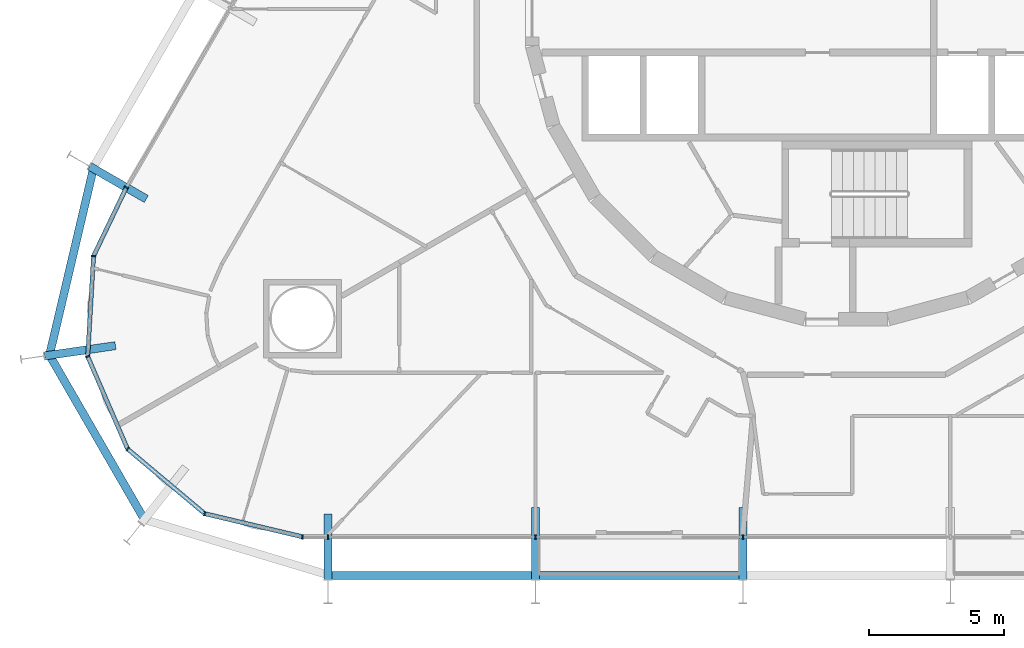
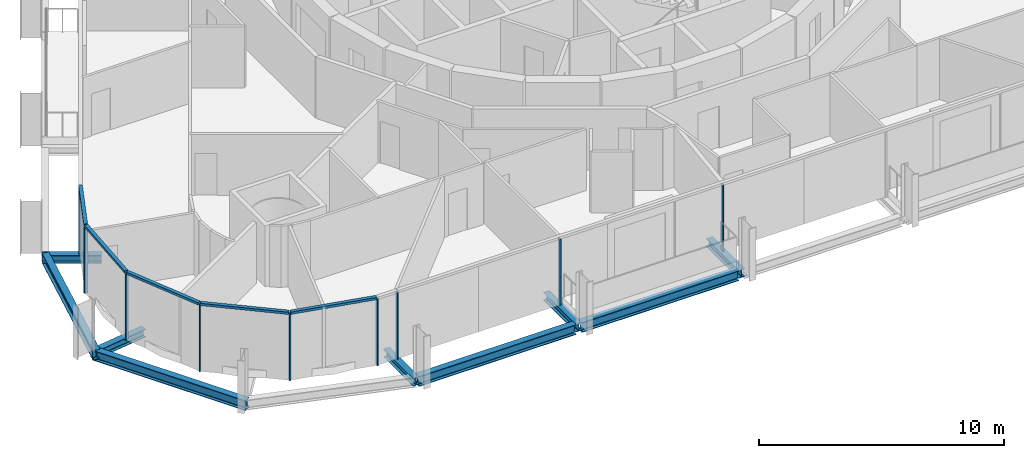
# One storey, part 3 of 20: 14 members, 9 beams, 2 elements without a shape of their own.
"""IFC4 building model written with IfcOpenShell, lengths in metres."""

from ifc_helpers import new_model, si_unit, direction, frame, origin, origin_2d, place, context, subcontext, project, spatial, rectangle, i_section, extrude, material, layer, layer_set, material_profile, profile_set, type_object, element, aggregate, save


model = new_model("IFC4")

# Units and contexts
model_context = context("Model", 3, precision=1e-05, world=origin(), true_north=direction((0.0, 1.0)))
body_context = subcontext(model_context, "Body", "Model", "MODEL_VIEW")
ifc_project = project(units=[si_unit("LENGTHUNIT", "METRE"), si_unit("AREAUNIT", "SQUARE_METRE"), si_unit("VOLUMEUNIT", "CUBIC_METRE"), si_unit("PLANEANGLEUNIT", "RADIAN"), si_unit("MASSUNIT", "GRAM", prefix="KILO")], contexts=[model_context])

# Site, building, storey
site_placement = place(None, origin())
site = spatial("IfcSite", under=ifc_project, at=site_placement, CompositionType="ELEMENT")
building_placement = place(site_placement, origin())
building = spatial("IfcBuilding", under=site, at=building_placement, Name="Spindle Arch Residences", CompositionType="ELEMENT")
storey_placement = place(building_placement, frame((0.0, 0.0, 66.39990234375)))
storey = spatial("IfcBuildingStorey", under=building, at=storey_placement, Name="L15", CompositionType="ELEMENT", Elevation=66.39990234375)

# Curtain wall, members
ifc_material_1 = material(Name="Aluminium bronze unitised frame with tinted glass", Category="aluminium")
ifc_layer_1 = layer(ifc_material_1, 0.159912109375)
ifc_layer_set_1 = layer_set([ifc_layer_1], Name="CW-D corner wall on the fillet arcs")
curtain_wall_type_1 = type_object("IfcCurtainWallType", Name="CW-D corner wall on the fillet arcs", PredefinedType="NOTDEFINED", material=ifc_layer_set_1)
curtain_wall_1_placement = place(storey_placement, origin())
curtain_wall_1 = element("IfcCurtainWall", 1, at=curtain_wall_1_placement, inside=storey, type_object=curtain_wall_type_1, Name="CW-D L15 run 5", PredefinedType="NOTDEFINED")
ifc_material_2 = material(Name="Aluminium bronze anodised mullion", Category="aluminium")
ifc_material_profile_1 = material_profile(ifc_material_2, rectangle(XDim=0.159912109375, YDim=0.06005859375, at=origin_2d()), Name="MU 60x160")
ifc_profile_set_1 = profile_set([ifc_material_profile_1], Name="Aluminium bronze anodised mullion")
member_type_1 = type_object("IfcMemberType", Name="Bronze mullion 60x160", PredefinedType="MULLION", material=ifc_profile_set_1)
member_1_placement = place(storey_placement, frame((-26.66943359375, -6.77294921875, -0.3798828125), z_axis=(0.0, 0.0, 1.0), x_axis=(0.902111889092, -0.431502189519, 0.0)))
member_1 = element("IfcMember", 2, at=member_1_placement, type_object=member_type_1, Name="CW-D mullion 00", PredefinedType="MULLION", context=body_context, shape_type="SweptSolid", body=[
    extrude(rectangle(XDim=0.159912109375, YDim=0.06005859375, at=origin_2d()), origin(), (0.0, 0.0, 1.0), 3.31005859375),
])
member_2_placement = place(storey_placement, frame((-27.884033203125, -9.3125, -0.3798828125), z_axis=(0.0, 0.0, 1.0), x_axis=(0.99830815821, -0.058144829968, 0.0)))
member_2 = element("IfcMember", 3, at=member_2_placement, type_object=member_type_1, Name="CW-D mullion 01", PredefinedType="MULLION", context=body_context, shape_type="SweptSolid", body=[
    extrude(rectangle(XDim=0.159912109375, YDim=0.06005859375, at=origin_2d()), origin(), (0.0, 0.0, 1.0), 3.31005859375),
])
member_3_placement = place(storey_placement, frame((-28.100830078125, -13.032958984375, -0.3798828125), z_axis=(0.0, 0.0, 1.0), x_axis=(0.918216106599, 0.396079766691, 0.0)))
member_3 = element("IfcMember", 4, at=member_3_placement, type_object=member_type_1, Name="CW-D mullion 02", PredefinedType="MULLION", context=body_context, shape_type="SweptSolid", body=[
    extrude(rectangle(XDim=0.159912109375, YDim=0.06005859375, at=origin_2d()), origin(), (0.0, 0.0, 1.0), 3.31005859375),
])
member_4_placement = place(storey_placement, frame((-26.624755859375, -16.454833984375, -0.3798828125), z_axis=(0.0, 0.0, 1.0), x_axis=(0.64278760716, 0.766044445239, 0.0)))
member_4 = element("IfcMember", 5, at=member_4_placement, type_object=member_type_1, Name="CW-D mullion 03", PredefinedType="MULLION", context=body_context, shape_type="SweptSolid", body=[
    extrude(rectangle(XDim=0.159912109375, YDim=0.06005859375, at=origin_2d()), origin(), (0.0, 0.0, 1.0), 3.31005859375),
])
member_5_placement = place(storey_placement, frame((-23.769775390625, -18.850341796875, -0.3798828125), z_axis=(0.0, 0.0, 1.0), x_axis=(0.230615868852, 0.973044871028, 0.0)))
member_5 = element("IfcMember", 6, at=member_5_placement, type_object=member_type_1, Name="CW-D mullion 04", PredefinedType="MULLION", context=body_context, shape_type="SweptSolid", body=[
    extrude(rectangle(XDim=0.159912109375, YDim=0.06005859375, at=origin_2d()), origin(), (0.0, 0.0, 1.0), 3.31005859375),
])
member_6_placement = place(storey_placement, frame((-20.1435546875, -19.7099609375, -0.3798828125), z_axis=(0.0, 0.0, 1.0), x_axis=(0.0, 1.0, 0.0)))
member_6 = element("IfcMember", 7, at=member_6_placement, type_object=member_type_1, Name="CW-D mullion 05", PredefinedType="MULLION", context=body_context, shape_type="SweptSolid", body=[
    extrude(rectangle(XDim=0.159912109375, YDim=0.06005859375, at=origin_2d()), origin(), (0.0, 0.0, 1.0), 3.31005859375),
])

ifc_material_3 = material(Name="Aluminium bronze unitised frame with tinted glass", Category="aluminium")
ifc_layer_2 = layer(ifc_material_3, 0.159912109375)
ifc_layer_set_2 = layer_set([ifc_layer_2], Name="CW-C typical residential unitised wall")
curtain_wall_type_2 = type_object("IfcCurtainWallType", Name="CW-C typical residential unitised wall", PredefinedType="NOTDEFINED", material=ifc_layer_set_2)
curtain_wall_2_placement = place(storey_placement, origin())
curtain_wall_2 = element("IfcCurtainWall", 8, at=curtain_wall_2_placement, inside=storey, type_object=curtain_wall_type_2, Name="CW-C L15 run 6", PredefinedType="NOTDEFINED")
member_7_placement = place(storey_placement, frame((-19.2001953125, -19.7099609375, -0.3798828125), z_axis=(0.0, 0.0, 1.0), x_axis=(0.0, 1.0, 0.0)))
member_7 = element("IfcMember", 9, at=member_7_placement, type_object=member_type_1, Name="CW-C mullion 21", PredefinedType="MULLION", context=body_context, shape_type="SweptSolid", body=[
    extrude(rectangle(XDim=0.159912109375, YDim=0.06005859375, at=origin_2d()), origin(), (0.0, 0.0, 1.0), 3.31005859375),
])
member_8_placement = place(storey_placement, frame((-11.52001953125, -19.7099609375, -0.3798828125), z_axis=(0.0, 0.0, 1.0), x_axis=(0.0, 1.0, 0.0)))
member_8 = element("IfcMember", 10, at=member_8_placement, type_object=member_type_1, Name="CW-C mullion 22", PredefinedType="MULLION", context=body_context, shape_type="SweptSolid", body=[
    extrude(rectangle(XDim=0.159912109375, YDim=0.06005859375, at=origin_2d()), origin(), (0.0, 0.0, 1.0), 3.31005859375),
])
member_9_placement = place(storey_placement, frame((-3.840087890625, -19.7099609375, -0.3798828125), z_axis=(0.0, 0.0, 1.0), x_axis=(0.0, 1.0, 0.0)))
member_9 = element("IfcMember", 11, at=member_9_placement, type_object=member_type_1, Name="CW-C mullion 23", PredefinedType="MULLION", context=body_context, shape_type="SweptSolid", body=[
    extrude(rectangle(XDim=0.159912109375, YDim=0.06005859375, at=origin_2d()), origin(), (0.0, 0.0, 1.0), 3.31005859375),
])
aggregate(curtain_wall_2, [member_7, member_8, member_9])

# Member
ifc_material_4 = material(Name="Aluminium bronze anodised transom", Category="aluminium")
ifc_material_profile_2 = material_profile(ifc_material_4, rectangle(XDim=0.159912109375, YDim=0.1201171875, at=origin_2d()), Name="TR 120x160")
ifc_profile_set_2 = profile_set([ifc_material_profile_2], Name="Aluminium bronze anodised transom")
member_type_2 = type_object("IfcMemberType", Name="Bronze transom 120x160", PredefinedType="USERDEFINED", material=ifc_profile_set_2)
member_10_placement = place(storey_placement, frame((-26.682373046875, -6.800048828125, 2.989990234375), z_axis=(-0.43147744699, -0.902123723631, 0.0), x_axis=(0.902123723631, -0.43147744699, 0.0)))
member_10 = element("IfcMember", 12, at=member_10_placement, type_object=member_type_2, Name="CW-D transom 00", ObjectType="TRANSOM", PredefinedType="USERDEFINED", context=body_context, shape_type="SweptSolid", body=[
    extrude(rectangle(XDim=0.159912109375, YDim=0.1201171875, at=origin_2d()), origin(), (0.0, 0.0, 1.0), 2.7548828125),
])

member_11_placement = place(storey_placement, frame((-27.885986328125, -9.342529296875, 2.989990234375), z_axis=(-0.058128716156, -0.998309096602, 0.0), x_axis=(0.998309096602, -0.058128716156, 0.0)))
member_11 = element("IfcMember", 13, at=member_11_placement, type_object=member_type_2, Name="CW-D transom 01", ObjectType="TRANSOM", PredefinedType="USERDEFINED", context=body_context, shape_type="SweptSolid", body=[
    extrude(rectangle(XDim=0.159912109375, YDim=0.1201171875, at=origin_2d()), origin(), (0.0, 0.0, 1.0), 3.66650390625),
])

member_12_placement = place(storey_placement, frame((-28.0888671875, -13.060546875, 2.989990234375), z_axis=(0.39603167212, -0.918236851078, 0.0), x_axis=(0.918236851078, 0.39603167212, 0.0)))
member_12 = element("IfcMember", 14, at=member_12_placement, type_object=member_type_2, Name="CW-D transom 02", ObjectType="TRANSOM", PredefinedType="USERDEFINED", context=body_context, shape_type="SweptSolid", body=[
    extrude(rectangle(XDim=0.159912109375, YDim=0.1201171875, at=origin_2d()), origin(), (0.0, 0.0, 1.0), 3.666748046875),
])

member_13_placement = place(storey_placement, frame((-26.601806640625, -16.47412109375, 2.989990234375), z_axis=(0.766006453075, -0.642832881741, 0.0), x_axis=(0.642832881741, 0.766006453075, 0.0)))
member_13 = element("IfcMember", 15, at=member_13_placement, type_object=member_type_2, Name="CW-D transom 03", ObjectType="TRANSOM", PredefinedType="USERDEFINED", context=body_context, shape_type="SweptSolid", body=[
    extrude(rectangle(XDim=0.159912109375, YDim=0.1201171875, at=origin_2d()), origin(), (0.0, 0.0, 1.0), 3.666748046875),
])

member_14_placement = place(storey_placement, frame((-23.74072265625, -18.857421875, 2.989990234375), z_axis=(0.973053560164, -0.230579203425, 0.0), x_axis=(0.230579203425, 0.973053560164, 0.0)))
member_14 = element("IfcMember", 16, at=member_14_placement, type_object=member_type_2, Name="CW-D transom 04", ObjectType="TRANSOM", PredefinedType="USERDEFINED", context=body_context, shape_type="SweptSolid", body=[
    extrude(rectangle(XDim=0.159912109375, YDim=0.1201171875, at=origin_2d()), origin(), (0.0, 0.0, 1.0), 3.666748046875),
])

aggregate(curtain_wall_1, [member_1, member_10, member_2, member_11, member_3, member_12, member_4, member_13, member_5, member_14, member_6])

# Beams
ifc_material_5 = material(Name="Steel S460ML, intumescent coating R 120", Category="steel")
ifc_material_profile_3 = material_profile(ifc_material_5, i_section(OverallWidth=0.300048828125, OverallDepth=0.5, WebThickness=0.014404296875, FlangeThickness=0.028076171875, FilletRadius=0.027099609375, at=origin_2d()), Name="HEB 500")
ifc_profile_set_3 = profile_set([ifc_material_profile_3], Name="Steel S460ML, intumescent coating R 120")
beam_type_1 = type_object("IfcBeamType", Name="Exoskeleton edge beam HEB 500", PredefinedType="BEAM", material=ifc_profile_set_3)
beam_1_placement = place(storey_placement, frame((-27.8720703125, -6.00048828125, -0.6298828125), z_axis=(-0.229185730541, -0.973382710406, 0.0), x_axis=(0.973382710406, -0.229185730541, 0.0)))
element("IfcBeam", 17, at=beam_1_placement, inside=storey, type_object=beam_type_1, Name="Exoskeleton edge beam 19", PredefinedType="BEAM", context=body_context, shape_type="SweptSolid", body=[
    extrude(i_section(OverallWidth=0.300048828125, OverallDepth=0.5, WebThickness=0.014404296875, FlangeThickness=0.028076171875, FilletRadius=0.027099609375, at=origin_2d()), origin(), (0.0, 0.0, 1.0), 7.25),
])
beam_2_placement = place(storey_placement, frame((-29.56640625, -12.892333984375, -0.6298828125), z_axis=(0.499999897272, -0.866025463095, 0.0), x_axis=(0.866025463095, 0.499999897272, 0.0)))
element("IfcBeam", 18, at=beam_2_placement, inside=storey, type_object=beam_type_1, Name="Exoskeleton edge beam 20", PredefinedType="BEAM", context=body_context, shape_type="SweptSolid", body=[
    extrude(i_section(OverallWidth=0.300048828125, OverallDepth=0.5, WebThickness=0.014404296875, FlangeThickness=0.028076171875, FilletRadius=0.027099609375, at=origin_2d()), origin(), (0.0, 0.0, 1.0), 7.236328125),
])
for number, where, z_axis, x_axis, name in (
    (19, (-19.0703125, -21.142822265625, -0.6298828125), (1.0, 0.0, 0.0), (0.0, 1.0, 0.0), "Exoskeleton edge beam 22"),
    (20, (-11.39013671875, -21.142822265625, -0.6298828125), (1.0, 0.0, 0.0), (0.0, 1.0, 0.0), "Exoskeleton edge beam 23"),
):
    element("IfcBeam", number, at=place(storey_placement, frame(where, z_axis=z_axis, x_axis=x_axis)), inside=storey, type_object=beam_type_1, Name=name, PredefinedType="BEAM", context=body_context, shape_type="SweptSolid", body=[
        extrude(i_section(OverallWidth=0.300048828125, OverallDepth=0.5, WebThickness=0.014404296875, FlangeThickness=0.028076171875, FilletRadius=0.027099609375, at=origin_2d()), origin(), (0.0, 0.0, 1.0), 7.420166015625),
    ])
ifc_material_6 = material(Name="Steel S460ML, intumescent coating R 120", Category="steel")
ifc_material_profile_4 = material_profile(ifc_material_6, i_section(OverallWidth=0.300048828125, OverallDepth=0.389892578125, WebThickness=0.010986328125, FlangeThickness=0.01904296875, FilletRadius=0.027099609375, at=origin_2d()), Name="HEA 400")
ifc_profile_set_4 = profile_set([ifc_material_profile_4], Name="Steel S460ML, intumescent coating R 120")
beam_type_2 = type_object("IfcBeamType", Name="Floor outrigger HEA 400", PredefinedType="BEAM", material=ifc_profile_set_4)
beam_3_placement = place(storey_placement, frame((-28.029052734375, -5.98779296875, -0.574951171875), z_axis=(0.866002732682, -0.500039265445, 0.0), x_axis=(0.500039265445, 0.866002732682, 0.0)))
element("IfcBeam", 21, at=beam_3_placement, inside=storey, type_object=beam_type_2, Name="Floor outrigger 19", PredefinedType="BEAM", context=body_context, shape_type="SweptSolid", body=[
    extrude(i_section(OverallWidth=0.300048828125, OverallDepth=0.389892578125, WebThickness=0.010986328125, FlangeThickness=0.01904296875, FilletRadius=0.027099609375, at=origin_2d()), origin(), (0.0, 0.0, 1.0), 2.423583984375),
])
beam_4_placement = place(storey_placement, frame((-29.694580078125, -13.009033203125, -0.574951171875), z_axis=(0.989738348309, 0.142891573883, 0.0), x_axis=(-0.142891573883, 0.989738348309, 0.0)))
element("IfcBeam", 22, at=beam_4_placement, inside=storey, type_object=beam_type_2, Name="Floor outrigger 20", PredefinedType="BEAM", context=body_context, shape_type="SweptSolid", body=[
    extrude(i_section(OverallWidth=0.300048828125, OverallDepth=0.389892578125, WebThickness=0.010986328125, FlangeThickness=0.01904296875, FilletRadius=0.027099609375, at=origin_2d()), origin(), (0.0, 0.0, 1.0), 2.64990234375),
])
beam_5_placement = place(storey_placement, frame((-19.2001953125, -21.27978515625, -0.574951171875), z_axis=(0.0, 1.0, 0.0), x_axis=(-1.0, 0.0, 0.0)))
element("IfcBeam", 23, at=beam_5_placement, inside=storey, type_object=beam_type_2, Name="Floor outrigger 22", PredefinedType="BEAM", context=body_context, shape_type="SweptSolid", body=[
    extrude(i_section(OverallWidth=0.300048828125, OverallDepth=0.389892578125, WebThickness=0.010986328125, FlangeThickness=0.01904296875, FilletRadius=0.027099609375, at=origin_2d()), origin(), (0.0, 0.0, 1.0), 2.42333984375),
])
for number, where, z_axis, x_axis, name in (
    (24, (-11.52001953125, -21.27978515625, -0.574951171875), (0.0, 1.0, 0.0), (-1.0, 0.0, 0.0), "Floor outrigger 23"),
    (25, (-3.840087890625, -21.27978515625, -0.574951171875), (0.0, 1.0, 0.0), (-1.0, 0.0, 0.0), "Floor outrigger 24"),
):
    element("IfcBeam", number, at=place(storey_placement, frame(where, z_axis=z_axis, x_axis=x_axis)), inside=storey, type_object=beam_type_2, Name=name, PredefinedType="BEAM", context=body_context, shape_type="SweptSolid", body=[
        extrude(i_section(OverallWidth=0.300048828125, OverallDepth=0.389892578125, WebThickness=0.010986328125, FlangeThickness=0.01904296875, FilletRadius=0.027099609375, at=origin_2d()), origin(), (0.0, 0.0, 1.0), 2.64990234375),
    ])

save(model, "model.ifc")
